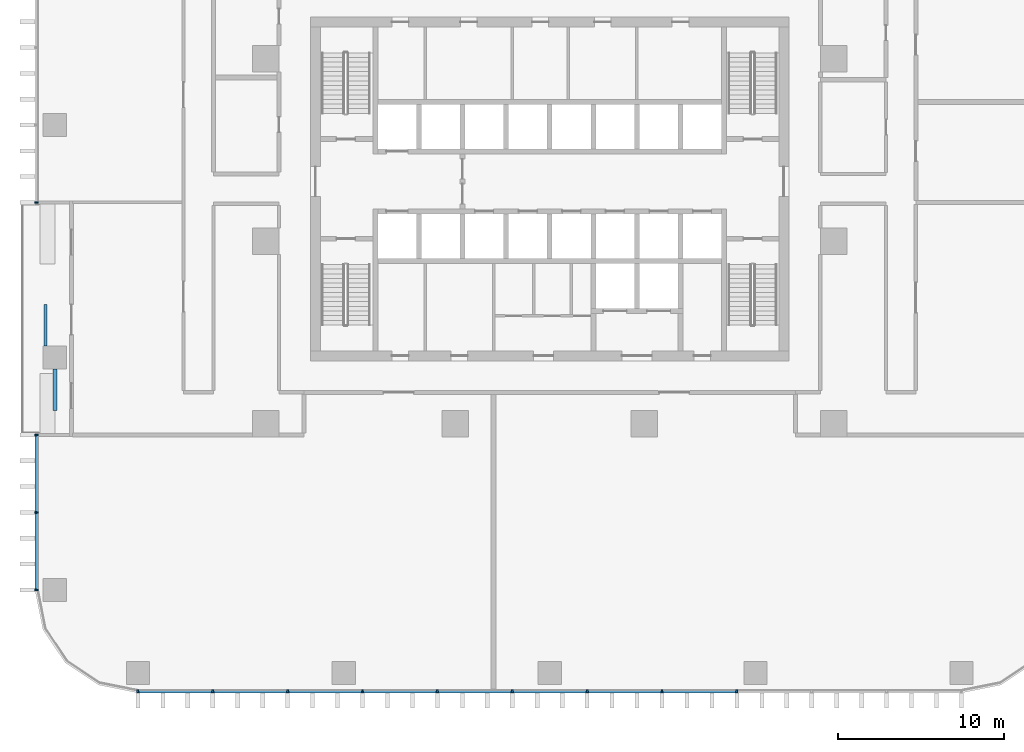
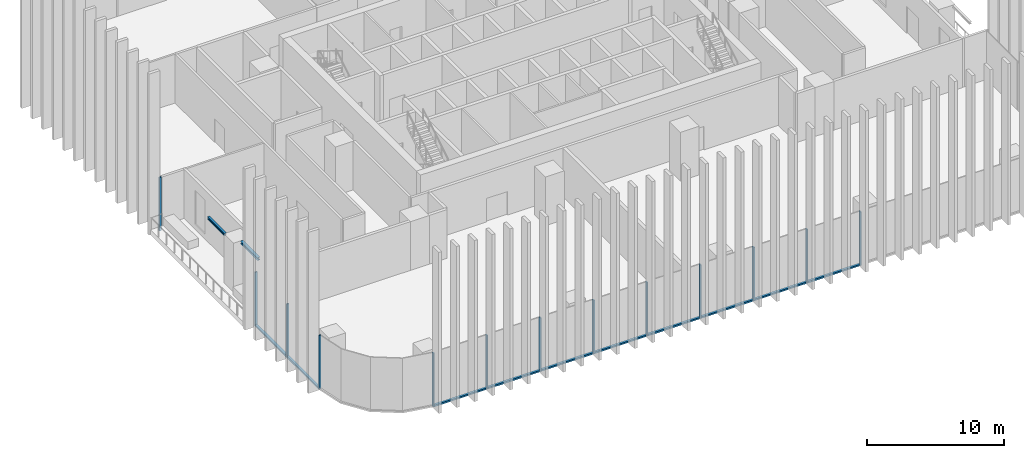
# One storey, part 2 of 17: 23 members, 2 beams, 3 elements without a shape of their own.
"""IFC4 building model written with IfcOpenShell, lengths in metres."""

from ifc_helpers import new_model, si_unit, direction, frame, origin, origin_2d, place, context, subcontext, project, spatial, rectangle, i_section, extrude, material, material_profile, profile_set, type_object, element, aggregate, save


model = new_model("IFC4")

# Units and contexts
model_context = context("Model", 3, precision=1e-05, world=origin(), true_north=direction((0.0, 1.0)))
body_context = subcontext(model_context, "Body", "Model", "MODEL_VIEW")
ifc_project = project(units=[si_unit("LENGTHUNIT", "METRE"), si_unit("AREAUNIT", "SQUARE_METRE"), si_unit("VOLUMEUNIT", "CUBIC_METRE"), si_unit("PLANEANGLEUNIT", "RADIAN"), si_unit("MASSUNIT", "GRAM", prefix="KILO")], contexts=[model_context])

# Site, building, storey
site_placement = place(None, origin())
site = spatial("IfcSite", under=ifc_project, at=site_placement, CompositionType="ELEMENT")
building_placement = place(site_placement, origin())
building = spatial("IfcBuilding", under=site, at=building_placement, Name="Mopane Tessera Tower", CompositionType="ELEMENT")
storey_placement = place(building_placement, frame((0.0, 0.0, 45.39990234375)))
storey = spatial("IfcBuildingStorey", under=building, at=storey_placement, Name="L08", CompositionType="ELEMENT", Elevation=45.39990234375)

# Curtain wall, members
ifc_material_1 = material(Name="Aluminium frame", Category="aluminium")
curtain_wall_type = type_object("IfcCurtainWallType", Name="Lower tower unitised wall", PredefinedType="NOTDEFINED", material=ifc_material_1)
curtain_wall_1_placement = place(storey_placement, origin())
curtain_wall_1 = element("IfcCurtainWall", 1, at=curtain_wall_1_placement, inside=storey, type_object=curtain_wall_type, Name="e:cw:L08:S:0", PredefinedType="NOTDEFINED")
ifc_material_2 = material(Name="Aluminium frame", Category="aluminium")
ifc_material_profile_1 = material_profile(ifc_material_2, rectangle(XDim=0.110107421875, YDim=0.199951171875, at=origin_2d()))
ifc_profile_set_1 = profile_set([ifc_material_profile_1], Name="Aluminium frame")
member_type_1 = type_object("IfcMemberType", Name="Aluminium mullion 110 x 200", PredefinedType="MULLION", material=ifc_profile_set_1)
member_1_placement = place(storey_placement, frame((-24.800048828125, -27.10009765625, -0.449951171875), z_axis=(0.0, 0.0, 1.0), x_axis=(1.0, 0.0, 0.0)))
member_1 = element("IfcMember", 2, at=member_1_placement, type_object=member_type_1, Name="e:cw:L08:S:0:mu0", PredefinedType="MULLION", context=body_context, shape_type="SweptSolid", body=[
    extrude(rectangle(XDim=0.110107421875, YDim=0.199951171875, at=origin_2d()), origin(), (0.0, 0.0, 1.0), 4.800048828125),
])
member_2_placement = place(storey_placement, frame((-20.291015625, -27.10009765625, -0.449951171875), z_axis=(0.0, 0.0, 1.0), x_axis=(1.0, 0.0, 0.0)))
member_2 = element("IfcMember", 3, at=member_2_placement, type_object=member_type_1, Name="e:cw:L08:S:0:mu1", PredefinedType="MULLION", context=body_context, shape_type="SweptSolid", body=[
    extrude(rectangle(XDim=0.110107421875, YDim=0.199951171875, at=origin_2d()), origin(), (0.0, 0.0, 1.0), 4.800048828125),
])
member_3_placement = place(storey_placement, frame((-15.78173828125, -27.10009765625, -0.449951171875), z_axis=(0.0, 0.0, 1.0), x_axis=(1.0, 0.0, 0.0)))
member_3 = element("IfcMember", 4, at=member_3_placement, type_object=member_type_1, Name="e:cw:L08:S:0:mu2", PredefinedType="MULLION", context=body_context, shape_type="SweptSolid", body=[
    extrude(rectangle(XDim=0.110107421875, YDim=0.199951171875, at=origin_2d()), origin(), (0.0, 0.0, 1.0), 4.800048828125),
])
member_4_placement = place(storey_placement, frame((-11.272705078125, -27.10009765625, -0.449951171875), z_axis=(0.0, 0.0, 1.0), x_axis=(1.0, 0.0, 0.0)))
member_4 = element("IfcMember", 5, at=member_4_placement, type_object=member_type_1, Name="e:cw:L08:S:0:mu3", PredefinedType="MULLION", context=body_context, shape_type="SweptSolid", body=[
    extrude(rectangle(XDim=0.110107421875, YDim=0.199951171875, at=origin_2d()), origin(), (0.0, 0.0, 1.0), 4.800048828125),
])
member_5_placement = place(storey_placement, frame((-6.763671875, -27.10009765625, -0.449951171875), z_axis=(0.0, 0.0, 1.0), x_axis=(1.0, 0.0, 0.0)))
member_5 = element("IfcMember", 6, at=member_5_placement, type_object=member_type_1, Name="e:cw:L08:S:0:mu4", PredefinedType="MULLION", context=body_context, shape_type="SweptSolid", body=[
    extrude(rectangle(XDim=0.110107421875, YDim=0.199951171875, at=origin_2d()), origin(), (0.0, 0.0, 1.0), 4.800048828125),
])
member_6_placement = place(storey_placement, frame((-2.254638671875, -27.10009765625, -0.449951171875), z_axis=(0.0, 0.0, 1.0), x_axis=(1.0, 0.0, 0.0)))
member_6 = element("IfcMember", 7, at=member_6_placement, type_object=member_type_1, Name="e:cw:L08:S:0:mu5", PredefinedType="MULLION", context=body_context, shape_type="SweptSolid", body=[
    extrude(rectangle(XDim=0.110107421875, YDim=0.199951171875, at=origin_2d()), origin(), (0.0, 0.0, 1.0), 4.800048828125),
])
member_7_placement = place(storey_placement, frame((2.254638671875, -27.10009765625, -0.449951171875), z_axis=(0.0, 0.0, 1.0), x_axis=(1.0, 0.0, 0.0)))
member_7 = element("IfcMember", 8, at=member_7_placement, type_object=member_type_1, Name="e:cw:L08:S:0:mu6", PredefinedType="MULLION", context=body_context, shape_type="SweptSolid", body=[
    extrude(rectangle(XDim=0.110107421875, YDim=0.199951171875, at=origin_2d()), origin(), (0.0, 0.0, 1.0), 4.800048828125),
])
member_8_placement = place(storey_placement, frame((6.763671875, -27.10009765625, -0.449951171875), z_axis=(0.0, 0.0, 1.0), x_axis=(1.0, 0.0, 0.0)))
member_8 = element("IfcMember", 9, at=member_8_placement, type_object=member_type_1, Name="e:cw:L08:S:0:mu7", PredefinedType="MULLION", context=body_context, shape_type="SweptSolid", body=[
    extrude(rectangle(XDim=0.110107421875, YDim=0.199951171875, at=origin_2d()), origin(), (0.0, 0.0, 1.0), 4.800048828125),
])
member_9_placement = place(storey_placement, frame((11.272705078125, -27.10009765625, -0.449951171875), z_axis=(0.0, 0.0, 1.0), x_axis=(1.0, 0.0, 0.0)))
member_9 = element("IfcMember", 10, at=member_9_placement, type_object=member_type_1, Name="e:cw:L08:S:0:mu8", PredefinedType="MULLION", context=body_context, shape_type="SweptSolid", body=[
    extrude(rectangle(XDim=0.110107421875, YDim=0.199951171875, at=origin_2d()), origin(), (0.0, 0.0, 1.0), 4.800048828125),
])

# Curtain wall, member
curtain_wall_2_placement = place(storey_placement, origin())
curtain_wall_2 = element("IfcCurtainWall", 11, at=curtain_wall_2_placement, inside=storey, type_object=curtain_wall_type, Name="e:cw:L08:W:0", PredefinedType="NOTDEFINED")
member_10_placement = place(storey_placement, frame((-30.89990234375, 2.333251953125, -0.449951171875), z_axis=(0.0, 0.0, 1.0), x_axis=(0.0, -1.0, 0.0)))
member_10 = element("IfcMember", 12, at=member_10_placement, type_object=member_type_1, Name="e:cw:L08:W:0:mu4", PredefinedType="MULLION", context=body_context, shape_type="SweptSolid", body=[
    extrude(rectangle(XDim=0.110107421875, YDim=0.199951171875, at=origin_2d()), origin(), (0.0, 0.0, 1.0), 4.800048828125),
])
aggregate(curtain_wall_2, [member_10])

# Curtain wall, members
curtain_wall_3_placement = place(storey_placement, origin())
curtain_wall_3 = element("IfcCurtainWall", 13, at=curtain_wall_3_placement, inside=storey, type_object=curtain_wall_type, Name="e:cw:L08:W:7", PredefinedType="NOTDEFINED")
member_11_placement = place(storey_placement, frame((-30.89990234375, -11.666748046875, -0.449951171875), z_axis=(0.0, 0.0, 1.0), x_axis=(0.0, -1.0, 0.0)))
member_11 = element("IfcMember", 14, at=member_11_placement, type_object=member_type_1, Name="e:cw:L08:W:7:mu7", PredefinedType="MULLION", context=body_context, shape_type="SweptSolid", body=[
    extrude(rectangle(XDim=0.110107421875, YDim=0.199951171875, at=origin_2d()), origin(), (0.0, 0.0, 1.0), 4.800048828125),
])
member_12_placement = place(storey_placement, frame((-30.89990234375, -16.333251953125, -0.449951171875), z_axis=(0.0, 0.0, 1.0), x_axis=(0.0, -1.0, 0.0)))
member_12 = element("IfcMember", 15, at=member_12_placement, type_object=member_type_1, Name="e:cw:L08:W:7:mu8", PredefinedType="MULLION", context=body_context, shape_type="SweptSolid", body=[
    extrude(rectangle(XDim=0.110107421875, YDim=0.199951171875, at=origin_2d()), origin(), (0.0, 0.0, 1.0), 4.800048828125),
])
member_13_placement = place(storey_placement, frame((-30.89990234375, -21.0, -0.449951171875), z_axis=(0.0, 0.0, 1.0), x_axis=(0.0, -1.0, 0.0)))
member_13 = element("IfcMember", 16, at=member_13_placement, type_object=member_type_1, Name="e:cw:L08:W:7:mu9", PredefinedType="MULLION", context=body_context, shape_type="SweptSolid", body=[
    extrude(rectangle(XDim=0.110107421875, YDim=0.199951171875, at=origin_2d()), origin(), (0.0, 0.0, 1.0), 4.800048828125),
])

# Member
ifc_material_3 = material(Name="Aluminium frame", Category="aluminium")
ifc_material_profile_2 = material_profile(ifc_material_3, rectangle(XDim=0.199951171875, YDim=0.139892578125, at=origin_2d()))
ifc_profile_set_2 = profile_set([ifc_material_profile_2], Name="Aluminium frame")
member_type_2 = type_object("IfcMemberType", Name="Aluminium transom 200 x 140", PredefinedType="USERDEFINED", material=ifc_profile_set_2)
member_14_placement = place(storey_placement, frame((-24.7451171875, -27.10009765625, -0.3798828125), z_axis=(1.0, 0.0, 0.0), x_axis=(0.0, 1.0, 0.0)))
member_14 = element("IfcMember", 17, at=member_14_placement, type_object=member_type_2, Name="e:cw:L08:S:0:tr0", ObjectType="TRANSOM", PredefinedType="USERDEFINED", context=body_context, shape_type="SweptSolid", body=[
    extrude(rectangle(XDim=0.199951171875, YDim=0.139892578125, at=origin_2d()), origin(), (0.0, 0.0, 1.0), 4.399169921875),
])

member_15_placement = place(storey_placement, frame((-20.23583984375, -27.10009765625, -0.3798828125), z_axis=(1.0, 0.0, 0.0), x_axis=(0.0, 1.0, 0.0)))
member_15 = element("IfcMember", 18, at=member_15_placement, type_object=member_type_2, Name="e:cw:L08:S:0:tr1", ObjectType="TRANSOM", PredefinedType="USERDEFINED", context=body_context, shape_type="SweptSolid", body=[
    extrude(rectangle(XDim=0.199951171875, YDim=0.139892578125, at=origin_2d()), origin(), (0.0, 0.0, 1.0), 4.39892578125),
])

member_16_placement = place(storey_placement, frame((-15.726806640625, -27.10009765625, -0.3798828125), z_axis=(1.0, 0.0, 0.0), x_axis=(0.0, 1.0, 0.0)))
member_16 = element("IfcMember", 19, at=member_16_placement, type_object=member_type_2, Name="e:cw:L08:S:0:tr2", ObjectType="TRANSOM", PredefinedType="USERDEFINED", context=body_context, shape_type="SweptSolid", body=[
    extrude(rectangle(XDim=0.199951171875, YDim=0.139892578125, at=origin_2d()), origin(), (0.0, 0.0, 1.0), 4.399169921875),
])

member_17_placement = place(storey_placement, frame((-11.2177734375, -27.10009765625, -0.3798828125), z_axis=(1.0, 0.0, 0.0), x_axis=(0.0, 1.0, 0.0)))
member_17 = element("IfcMember", 20, at=member_17_placement, type_object=member_type_2, Name="e:cw:L08:S:0:tr3", ObjectType="TRANSOM", PredefinedType="USERDEFINED", context=body_context, shape_type="SweptSolid", body=[
    extrude(rectangle(XDim=0.199951171875, YDim=0.139892578125, at=origin_2d()), origin(), (0.0, 0.0, 1.0), 4.399169921875),
])

member_18_placement = place(storey_placement, frame((-6.708740234375, -27.10009765625, -0.3798828125), z_axis=(1.0, 0.0, 0.0), x_axis=(0.0, 1.0, 0.0)))
member_18 = element("IfcMember", 21, at=member_18_placement, type_object=member_type_2, Name="e:cw:L08:S:0:tr4", ObjectType="TRANSOM", PredefinedType="USERDEFINED", context=body_context, shape_type="SweptSolid", body=[
    extrude(rectangle(XDim=0.199951171875, YDim=0.139892578125, at=origin_2d()), origin(), (0.0, 0.0, 1.0), 4.399169921875),
])

member_19_placement = place(storey_placement, frame((-2.199462890625, -27.10009765625, -0.3798828125), z_axis=(1.0, 0.0, 0.0), x_axis=(0.0, 1.0, 0.0)))
member_19 = element("IfcMember", 22, at=member_19_placement, type_object=member_type_2, Name="e:cw:L08:S:0:tr5", ObjectType="TRANSOM", PredefinedType="USERDEFINED", context=body_context, shape_type="SweptSolid", body=[
    extrude(rectangle(XDim=0.199951171875, YDim=0.139892578125, at=origin_2d()), origin(), (0.0, 0.0, 1.0), 4.39892578125),
])

member_20_placement = place(storey_placement, frame((2.3095703125, -27.10009765625, -0.3798828125), z_axis=(1.0, 0.0, 0.0), x_axis=(0.0, 1.0, 0.0)))
member_20 = element("IfcMember", 23, at=member_20_placement, type_object=member_type_2, Name="e:cw:L08:S:0:tr6", ObjectType="TRANSOM", PredefinedType="USERDEFINED", context=body_context, shape_type="SweptSolid", body=[
    extrude(rectangle(XDim=0.199951171875, YDim=0.139892578125, at=origin_2d()), origin(), (0.0, 0.0, 1.0), 4.399169921875),
])

member_21_placement = place(storey_placement, frame((6.818603515625, -27.10009765625, -0.3798828125), z_axis=(1.0, 0.0, 0.0), x_axis=(0.0, 1.0, 0.0)))
member_21 = element("IfcMember", 24, at=member_21_placement, type_object=member_type_2, Name="e:cw:L08:S:0:tr7", ObjectType="TRANSOM", PredefinedType="USERDEFINED", context=body_context, shape_type="SweptSolid", body=[
    extrude(rectangle(XDim=0.199951171875, YDim=0.139892578125, at=origin_2d()), origin(), (0.0, 0.0, 1.0), 4.399169921875),
])

aggregate(curtain_wall_1, [member_1, member_2, member_3, member_4, member_5, member_6, member_7, member_8, member_9, member_14, member_15, member_16, member_17, member_18, member_19, member_20, member_21])

member_22_placement = place(storey_placement, frame((-30.89990234375, -11.7216796875, -0.3798828125), z_axis=(0.0, -1.0, 0.0), x_axis=(1.0, 0.0, 0.0)))
member_22 = element("IfcMember", 25, at=member_22_placement, type_object=member_type_2, Name="e:cw:L08:W:7:tr7", ObjectType="TRANSOM", PredefinedType="USERDEFINED", context=body_context, shape_type="SweptSolid", body=[
    extrude(rectangle(XDim=0.199951171875, YDim=0.139892578125, at=origin_2d()), origin(), (0.0, 0.0, 1.0), 4.556640625),
])

member_23_placement = place(storey_placement, frame((-30.89990234375, -16.388427734375, -0.3798828125), z_axis=(0.0, -1.0, 0.0), x_axis=(1.0, 0.0, 0.0)))
member_23 = element("IfcMember", 26, at=member_23_placement, type_object=member_type_2, Name="e:cw:L08:W:7:tr8", ObjectType="TRANSOM", PredefinedType="USERDEFINED", context=body_context, shape_type="SweptSolid", body=[
    extrude(rectangle(XDim=0.199951171875, YDim=0.139892578125, at=origin_2d()), origin(), (0.0, 0.0, 1.0), 4.556640625),
])

aggregate(curtain_wall_3, [member_11, member_12, member_13, member_22, member_23])

# Beams
ifc_material_4 = material(Name="Structural steel S460", Category="steel")
ifc_material_profile_3 = material_profile(ifc_material_4, i_section(OverallWidth=0.239990234375, OverallDepth=0.239990234375, WebThickness=0.010009765625, FlangeThickness=0.01708984375, FilletRadius=0.02099609375, at=origin_2d()))
ifc_profile_set_3 = profile_set([ifc_material_profile_3], Name="Structural steel S460")
beam_type_1 = type_object("IfcBeamType", Name="Terrace spandrel beam HE 240 B", PredefinedType="SPANDREL", material=ifc_profile_set_3)
beam_1_placement = place(storey_placement, frame((-29.800048828125, -7.702880859375, 4.22998046875), z_axis=(0.0, -1.0, 0.0), x_axis=(1.0, 0.0, 0.0)))
element("IfcBeam", 27, at=beam_1_placement, inside=storey, type_object=beam_type_1, Name="Terrace spandrel beam N3 L09", PredefinedType="SPANDREL", context=body_context, shape_type="SweptSolid", body=[
    extrude(i_section(OverallWidth=0.239990234375, OverallDepth=0.239990234375, WebThickness=0.010009765625, FlangeThickness=0.01708984375, FilletRadius=0.02099609375, at=origin_2d()), origin(), (0.0, 0.0, 1.0), 2.5),
])
ifc_material_5 = material(Name="Structural steel S460", Category="steel")
ifc_material_profile_4 = material_profile(ifc_material_5, i_section(OverallWidth=0.199951171875, OverallDepth=0.199951171875, WebThickness=0.009033203125, FlangeThickness=0.014892578125, FilletRadius=0.01806640625, at=origin_2d()))
ifc_profile_set_4 = profile_set([ifc_material_profile_4], Name="Structural steel S460")
beam_type_2 = type_object("IfcBeamType", Name="Terrace trimmer beam HE 200 B", PredefinedType="BEAM", material=ifc_profile_set_4)
beam_2_placement = place(storey_placement, frame((-30.360107421875, -6.297119140625, 4.25), z_axis=(0.0, 1.0, 0.0), x_axis=(-1.0, 0.0, 0.0)))
element("IfcBeam", 28, at=beam_2_placement, inside=storey, type_object=beam_type_2, Name="Terrace trimmer beam N3 L09", PredefinedType="BEAM", context=body_context, shape_type="SweptSolid", body=[
    extrude(i_section(OverallWidth=0.199951171875, OverallDepth=0.199951171875, WebThickness=0.009033203125, FlangeThickness=0.014892578125, FilletRadius=0.01806640625, at=origin_2d()), origin(), (0.0, 0.0, 1.0), 2.5),
])

save(model, "model.ifc")
